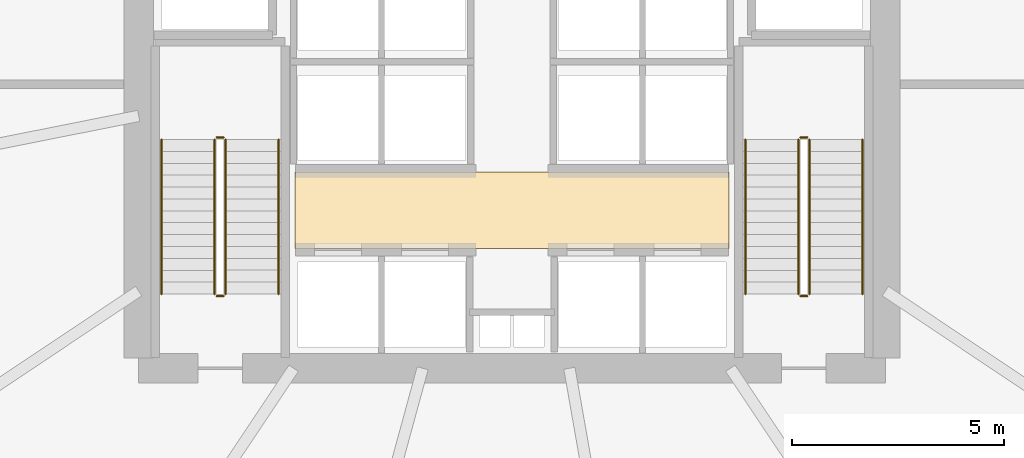
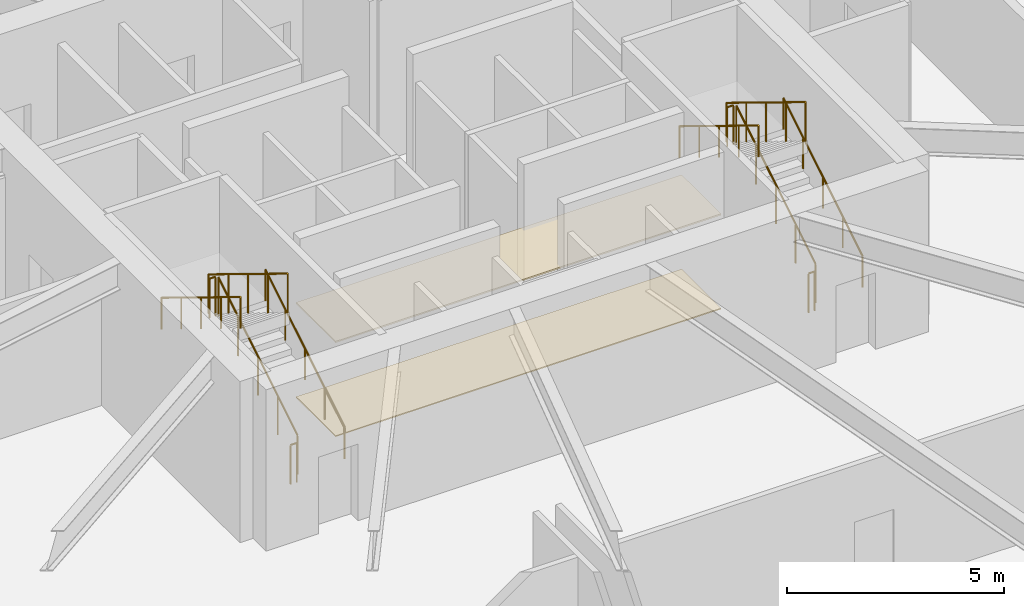
# One storey, part 30 of 33: 12 railings, 2 coverings.
"""IFC4 building model written with IfcOpenShell, lengths in metres."""

from ifc_helpers import new_model, si_unit, direction, frame, origin, origin_2d, place, context, subcontext, project, spatial, polyline, circle, outline, extrude, material, layer, layer_set, type_object, element, save


model = new_model("IFC4")

# Units and contexts
model_context = context("Model", 3, precision=1e-05, world=origin(), true_north=direction((0.0, 1.0)))
body_context = subcontext(model_context, "Body", "Model", "MODEL_VIEW")
ifc_project = project(units=[si_unit("LENGTHUNIT", "METRE"), si_unit("AREAUNIT", "SQUARE_METRE"), si_unit("VOLUMEUNIT", "CUBIC_METRE"), si_unit("PLANEANGLEUNIT", "RADIAN"), si_unit("MASSUNIT", "GRAM", prefix="KILO"), si_unit("THERMODYNAMICTEMPERATUREUNIT", "KELVIN")], contexts=[model_context])

# Site, building, storey
site_placement = place(None, origin())
site = spatial("IfcSite", under=ifc_project, at=site_placement, CompositionType="ELEMENT")
building_placement = place(site_placement, origin())
building = spatial("IfcBuilding", under=site, at=building_placement, Name="Kethvar Cultural Tower", CompositionType="ELEMENT")
storey_placement = place(building_placement, frame((0.0, 0.0, 10.0)))
storey = spatial("IfcBuildingStorey", under=building, at=storey_placement, Name="L02", CompositionType="ELEMENT", Elevation=10.0)

# Coverings
ifc_material_1 = material(Name="Acoustic Mineral Fibre Ceiling")
ifc_layer_1 = layer(ifc_material_1, 0.0400390625, Name="Acoustic Mineral Fibre Ceiling")
ifc_layer_set_1 = layer_set([ifc_layer_1], Name="Acoustic Mineral Fibre Ceiling (40 mm)")
covering_type_1 = type_object("IfcCoveringType", Name="CV-ACOUSTIC-CEIL", PredefinedType="CEILING", material=ifc_layer_set_1)
covering_1_placement = place(storey_placement, frame((0.0, 0.0, 2.639892578125)))
element("IfcCovering", 1, at=covering_1_placement, inside=storey, type_object=covering_type_1, Name="L02 Lift Lobby Acoustic Ceiling", PredefinedType="CEILING", context=body_context, shape_type="SweptSolid", body=[
    extrude(outline(polyline([(41.679931640625, 22.919921875), (51.919921875, 22.919921875), (51.919921875, 24.72998046875), (41.679931640625, 24.72998046875), (41.679931640625, 22.919921875)])), origin(), (0.0, 0.0, 1.0), 0.0400390625),
])
ifc_material_2 = material(Name="Honed Warm Limestone", Category="masonry")
ifc_layer_2 = layer(ifc_material_2, 0.030029296875, Name="Honed Warm Limestone", Category="masonry")
ifc_layer_set_2 = layer_set([ifc_layer_2], Name="Honed Warm Limestone (30 mm)")
covering_type_2 = type_object("IfcCoveringType", Name="CV-STONE-FLOOR", PredefinedType="FLOORING", material=ifc_layer_set_2)
covering_2_placement = place(storey_placement, origin())
element("IfcCovering", 2, at=covering_2_placement, inside=storey, type_object=covering_type_2, Name="L02 Lift Lobby Floor Finish", PredefinedType="FLOORING", context=body_context, shape_type="SweptSolid", body=[
    extrude(outline(polyline([(41.679931640625, 22.919921875), (51.919921875, 22.919921875), (51.919921875, 24.72998046875), (41.679931640625, 24.72998046875), (41.679931640625, 22.919921875)])), origin(), (0.0, 0.0, 1.0), 0.030029296875),
])

# Railings
ifc_material_3 = material(Name="Steel S355J2", Category="steel")
railing_type_1 = type_object("IfcRailingType", Name="RL-STAIR-GUARD", PredefinedType="BALUSTRADE", material=ifc_material_3)
railing_1_placement = place(storey_placement, frame((40.050048828125, 21.85009765625, 0.17138671875)))
element("IfcRailing", 3, at=railing_1_placement, inside=storey, type_object=railing_type_1, Name="L02 ST-01 stair guard 1", PredefinedType="BALUSTRADE", context=body_context, shape_type="SweptSolid", body=[
    extrude(circle(Radius=0.02392578125, at=origin_2d()), frame((0.0, 0.0, 1.09619140625), z_axis=(0.0, 0.852850264322, 0.5221555579), x_axis=(-1.0, 0.0, 0.0)), (0.0, 0.0, 1.0), 4.267822265625),
    extrude(circle(Radius=0.02099609375, at=origin_2d()), origin(), (0.0, 0.0, 1.0), 1.072021484375),
    extrude(circle(Radius=0.02099609375, at=origin_2d()), frame((0.0, 0.909912109375, 0.55712890625)), (0.0, 0.0, 1.0), 1.072021484375),
    extrude(circle(Radius=0.02099609375, at=origin_2d()), frame((0.0, 1.81982421875, 1.1142578125)), (0.0, 0.0, 1.0), 1.072021484375),
    extrude(circle(Radius=0.02099609375, at=origin_2d()), frame((0.0, 2.72998046875, 1.67138671875)), (0.0, 0.0, 1.0), 1.072021484375),
    extrude(circle(Radius=0.02099609375, at=origin_2d()), frame((0.0, 3.639892578125, 2.228515625)), (0.0, 0.0, 1.0), 1.072021484375),
])
railing_2_placement = place(storey_placement, frame((40.0, 25.5400390625, 2.39990234375)))
element("IfcRailing", 4, at=railing_2_placement, inside=storey, type_object=railing_type_1, Name="L02 ST-01 stair guard 2", PredefinedType="BALUSTRADE", context=body_context, shape_type="SweptSolid", body=[
    extrude(circle(Radius=0.02392578125, at=origin_2d()), frame((0.0, 0.0, 1.09619140625), z_axis=(-1.0, 0.0, 0.0), x_axis=(0.0, -1.0, 0.0)), (0.0, 0.0, 1.0), 0.159912109375),
    extrude(circle(Radius=0.02099609375, at=origin_2d()), origin(), (0.0, 0.0, 1.0), 1.072021484375),
    extrude(circle(Radius=0.02099609375, at=origin_2d()), frame((-0.159912109375, 0.0, 0.0)), (0.0, 0.0, 1.0), 1.072021484375),
])
railing_3_placement = place(storey_placement, frame((39.7900390625, 25.489990234375, 2.571533203125)))
element("IfcRailing", 5, at=railing_3_placement, inside=storey, type_object=railing_type_1, Name="L02 ST-01 stair guard 3", PredefinedType="BALUSTRADE", context=body_context, shape_type="SweptSolid", body=[
    extrude(circle(Radius=0.02392578125, at=origin_2d()), frame((0.0, 0.0, 1.09619140625), z_axis=(0.0, -0.852850264322, 0.5221555579), x_axis=(1.0, 0.0, 0.0)), (0.0, 0.0, 1.0), 4.267822265625),
    extrude(circle(Radius=0.02099609375, at=origin_2d()), origin(), (0.0, 0.0, 1.0), 1.072021484375),
    extrude(circle(Radius=0.02099609375, at=origin_2d()), frame((0.0, -0.909912109375, 0.55712890625)), (0.0, 0.0, 1.0), 1.072021484375),
    extrude(circle(Radius=0.02099609375, at=origin_2d()), frame((0.0, -1.81982421875, 1.1142578125)), (0.0, 0.0, 1.0), 1.072021484375),
    extrude(circle(Radius=0.02099609375, at=origin_2d()), frame((0.0, -2.72998046875, 1.67138671875)), (0.0, 0.0, 1.0), 1.072021484375),
    extrude(circle(Radius=0.02099609375, at=origin_2d()), frame((0.0, -3.639892578125, 2.228515625)), (0.0, 0.0, 1.0), 1.072021484375),
])
railing_4_placement = place(storey_placement, frame((40.0, 21.800048828125, 0.0)))
element("IfcRailing", 6, at=railing_4_placement, inside=storey, type_object=railing_type_1, Name="L02 ST-01 stair guard 4", PredefinedType="BALUSTRADE", context=body_context, shape_type="SweptSolid", body=[
    extrude(circle(Radius=0.02392578125, at=origin_2d()), frame((0.0, 0.0, 1.09619140625), z_axis=(-1.0, 0.0, 0.0), x_axis=(0.0, -1.0, 0.0)), (0.0, 0.0, 1.0), 0.159912109375),
    extrude(circle(Radius=0.02099609375, at=origin_2d()), origin(), (0.0, 0.0, 1.0), 1.072021484375),
    extrude(circle(Radius=0.02099609375, at=origin_2d()), frame((-0.159912109375, 0.0, 0.0)), (0.0, 0.0, 1.0), 1.072021484375),
])
railing_5_placement = place(storey_placement, frame((53.81005859375, 21.85009765625, 0.17138671875)))
element("IfcRailing", 7, at=railing_5_placement, inside=storey, type_object=railing_type_1, Name="L02 ST-02 stair guard 1", PredefinedType="BALUSTRADE", context=body_context, shape_type="SweptSolid", body=[
    extrude(circle(Radius=0.02392578125, at=origin_2d()), frame((0.0, 0.0, 1.09619140625), z_axis=(0.0, 0.852850264322, 0.5221555579), x_axis=(-1.0, 0.0, 0.0)), (0.0, 0.0, 1.0), 4.267822265625),
    extrude(circle(Radius=0.02099609375, at=origin_2d()), origin(), (0.0, 0.0, 1.0), 1.072021484375),
    extrude(circle(Radius=0.02099609375, at=origin_2d()), frame((0.0, 0.909912109375, 0.55712890625)), (0.0, 0.0, 1.0), 1.072021484375),
    extrude(circle(Radius=0.02099609375, at=origin_2d()), frame((0.0, 1.81982421875, 1.1142578125)), (0.0, 0.0, 1.0), 1.072021484375),
    extrude(circle(Radius=0.02099609375, at=origin_2d()), frame((0.0, 2.72998046875, 1.67138671875)), (0.0, 0.0, 1.0), 1.072021484375),
    extrude(circle(Radius=0.02099609375, at=origin_2d()), frame((0.0, 3.639892578125, 2.228515625)), (0.0, 0.0, 1.0), 1.072021484375),
])
railing_6_placement = place(storey_placement, frame((53.760009765625, 25.5400390625, 2.39990234375)))
element("IfcRailing", 8, at=railing_6_placement, inside=storey, type_object=railing_type_1, Name="L02 ST-02 stair guard 2", PredefinedType="BALUSTRADE", context=body_context, shape_type="SweptSolid", body=[
    extrude(circle(Radius=0.02392578125, at=origin_2d()), frame((0.0, 0.0, 1.09619140625), z_axis=(-1.0, 0.0, 0.0), x_axis=(0.0, -1.0, 0.0)), (0.0, 0.0, 1.0), 0.159912109375),
    extrude(circle(Radius=0.02099609375, at=origin_2d()), origin(), (0.0, 0.0, 1.0), 1.072021484375),
    extrude(circle(Radius=0.02099609375, at=origin_2d()), frame((-0.159912109375, 0.0, 0.0)), (0.0, 0.0, 1.0), 1.072021484375),
])
railing_7_placement = place(storey_placement, frame((53.550048828125, 25.489990234375, 2.571533203125)))
element("IfcRailing", 9, at=railing_7_placement, inside=storey, type_object=railing_type_1, Name="L02 ST-02 stair guard 3", PredefinedType="BALUSTRADE", context=body_context, shape_type="SweptSolid", body=[
    extrude(circle(Radius=0.02392578125, at=origin_2d()), frame((0.0, 0.0, 1.09619140625), z_axis=(0.0, -0.852850264322, 0.5221555579), x_axis=(1.0, 0.0, 0.0)), (0.0, 0.0, 1.0), 4.267822265625),
    extrude(circle(Radius=0.02099609375, at=origin_2d()), origin(), (0.0, 0.0, 1.0), 1.072021484375),
    extrude(circle(Radius=0.02099609375, at=origin_2d()), frame((0.0, -0.909912109375, 0.55712890625)), (0.0, 0.0, 1.0), 1.072021484375),
    extrude(circle(Radius=0.02099609375, at=origin_2d()), frame((0.0, -1.81982421875, 1.1142578125)), (0.0, 0.0, 1.0), 1.072021484375),
    extrude(circle(Radius=0.02099609375, at=origin_2d()), frame((0.0, -2.72998046875, 1.67138671875)), (0.0, 0.0, 1.0), 1.072021484375),
    extrude(circle(Radius=0.02099609375, at=origin_2d()), frame((0.0, -3.639892578125, 2.228515625)), (0.0, 0.0, 1.0), 1.072021484375),
])
railing_8_placement = place(storey_placement, frame((53.760009765625, 21.800048828125, 0.0)))
element("IfcRailing", 10, at=railing_8_placement, inside=storey, type_object=railing_type_1, Name="L02 ST-02 stair guard 4", PredefinedType="BALUSTRADE", context=body_context, shape_type="SweptSolid", body=[
    extrude(circle(Radius=0.02392578125, at=origin_2d()), frame((0.0, 0.0, 1.09619140625), z_axis=(-1.0, 0.0, 0.0), x_axis=(0.0, -1.0, 0.0)), (0.0, 0.0, 1.0), 0.159912109375),
    extrude(circle(Radius=0.02099609375, at=origin_2d()), origin(), (0.0, 0.0, 1.0), 1.072021484375),
    extrude(circle(Radius=0.02099609375, at=origin_2d()), frame((-0.159912109375, 0.0, 0.0)), (0.0, 0.0, 1.0), 1.072021484375),
])
railing_type_2 = type_object("IfcRailingType", Name="RL-STAIR-HANDRAIL", PredefinedType="HANDRAIL", material=ifc_material_3)
railing_9_placement = place(storey_placement, frame((41.300048828125, 21.85009765625, 0.17138671875)))
element("IfcRailing", 11, at=railing_9_placement, inside=storey, type_object=railing_type_2, Name="L02 ST-01 stair handrail 1", PredefinedType="HANDRAIL", context=body_context, shape_type="SweptSolid", body=[
    extrude(circle(Radius=0.02392578125, at=origin_2d()), frame((0.0, 0.0, 0.8759765625), z_axis=(0.0, 0.852850264322, 0.5221555579), x_axis=(-1.0, 0.0, 0.0)), (0.0, 0.0, 1.0), 4.267822265625),
    extrude(circle(Radius=0.02099609375, at=origin_2d()), origin(), (0.0, 0.0, 1.0), 0.851806640625),
    extrude(circle(Radius=0.02099609375, at=origin_2d()), frame((0.0, 0.909912109375, 0.55712890625)), (0.0, 0.0, 1.0), 0.851806640625),
    extrude(circle(Radius=0.02099609375, at=origin_2d()), frame((0.0, 1.81982421875, 1.1142578125)), (0.0, 0.0, 1.0), 0.851806640625),
    extrude(circle(Radius=0.02099609375, at=origin_2d()), frame((0.0, 2.72998046875, 1.67138671875)), (0.0, 0.0, 1.0), 0.851806640625),
    extrude(circle(Radius=0.02099609375, at=origin_2d()), frame((0.0, 3.639892578125, 2.228515625)), (0.0, 0.0, 1.0), 0.851806640625),
])
railing_10_placement = place(storey_placement, frame((38.5400390625, 25.489990234375, 2.571533203125)))
element("IfcRailing", 12, at=railing_10_placement, inside=storey, type_object=railing_type_2, Name="L02 ST-01 stair handrail 2", PredefinedType="HANDRAIL", context=body_context, shape_type="SweptSolid", body=[
    extrude(circle(Radius=0.02392578125, at=origin_2d()), frame((0.0, 0.0, 0.8759765625), z_axis=(0.0, -0.852850264322, 0.5221555579), x_axis=(1.0, 0.0, 0.0)), (0.0, 0.0, 1.0), 4.267822265625),
    extrude(circle(Radius=0.02099609375, at=origin_2d()), origin(), (0.0, 0.0, 1.0), 0.851806640625),
    extrude(circle(Radius=0.02099609375, at=origin_2d()), frame((0.0, -0.909912109375, 0.55712890625)), (0.0, 0.0, 1.0), 0.851806640625),
    extrude(circle(Radius=0.02099609375, at=origin_2d()), frame((0.0, -1.81982421875, 1.1142578125)), (0.0, 0.0, 1.0), 0.851806640625),
    extrude(circle(Radius=0.02099609375, at=origin_2d()), frame((0.0, -2.72998046875, 1.67138671875)), (0.0, 0.0, 1.0), 0.851806640625),
    extrude(circle(Radius=0.02099609375, at=origin_2d()), frame((0.0, -3.639892578125, 2.228515625)), (0.0, 0.0, 1.0), 0.851806640625),
])
railing_11_placement = place(storey_placement, frame((55.06005859375, 21.85009765625, 0.17138671875)))
element("IfcRailing", 13, at=railing_11_placement, inside=storey, type_object=railing_type_2, Name="L02 ST-02 stair handrail 1", PredefinedType="HANDRAIL", context=body_context, shape_type="SweptSolid", body=[
    extrude(circle(Radius=0.02392578125, at=origin_2d()), frame((0.0, 0.0, 0.8759765625), z_axis=(0.0, 0.852850264322, 0.5221555579), x_axis=(-1.0, 0.0, 0.0)), (0.0, 0.0, 1.0), 4.267822265625),
    extrude(circle(Radius=0.02099609375, at=origin_2d()), origin(), (0.0, 0.0, 1.0), 0.851806640625),
    extrude(circle(Radius=0.02099609375, at=origin_2d()), frame((0.0, 0.909912109375, 0.55712890625)), (0.0, 0.0, 1.0), 0.851806640625),
    extrude(circle(Radius=0.02099609375, at=origin_2d()), frame((0.0, 1.81982421875, 1.1142578125)), (0.0, 0.0, 1.0), 0.851806640625),
    extrude(circle(Radius=0.02099609375, at=origin_2d()), frame((0.0, 2.72998046875, 1.67138671875)), (0.0, 0.0, 1.0), 0.851806640625),
    extrude(circle(Radius=0.02099609375, at=origin_2d()), frame((0.0, 3.639892578125, 2.228515625)), (0.0, 0.0, 1.0), 0.851806640625),
])
railing_12_placement = place(storey_placement, frame((52.300048828125, 25.489990234375, 2.571533203125)))
element("IfcRailing", 14, at=railing_12_placement, inside=storey, type_object=railing_type_2, Name="L02 ST-02 stair handrail 2", PredefinedType="HANDRAIL", context=body_context, shape_type="SweptSolid", body=[
    extrude(circle(Radius=0.02392578125, at=origin_2d()), frame((0.0, 0.0, 0.8759765625), z_axis=(0.0, -0.852850264322, 0.5221555579), x_axis=(1.0, 0.0, 0.0)), (0.0, 0.0, 1.0), 4.267822265625),
    extrude(circle(Radius=0.02099609375, at=origin_2d()), origin(), (0.0, 0.0, 1.0), 0.851806640625),
    extrude(circle(Radius=0.02099609375, at=origin_2d()), frame((0.0, -0.909912109375, 0.55712890625)), (0.0, 0.0, 1.0), 0.851806640625),
    extrude(circle(Radius=0.02099609375, at=origin_2d()), frame((0.0, -1.81982421875, 1.1142578125)), (0.0, 0.0, 1.0), 0.851806640625),
    extrude(circle(Radius=0.02099609375, at=origin_2d()), frame((0.0, -2.72998046875, 1.67138671875)), (0.0, 0.0, 1.0), 0.851806640625),
    extrude(circle(Radius=0.02099609375, at=origin_2d()), frame((0.0, -3.639892578125, 2.228515625)), (0.0, 0.0, 1.0), 0.851806640625),
])

save(model, "model.ifc")
